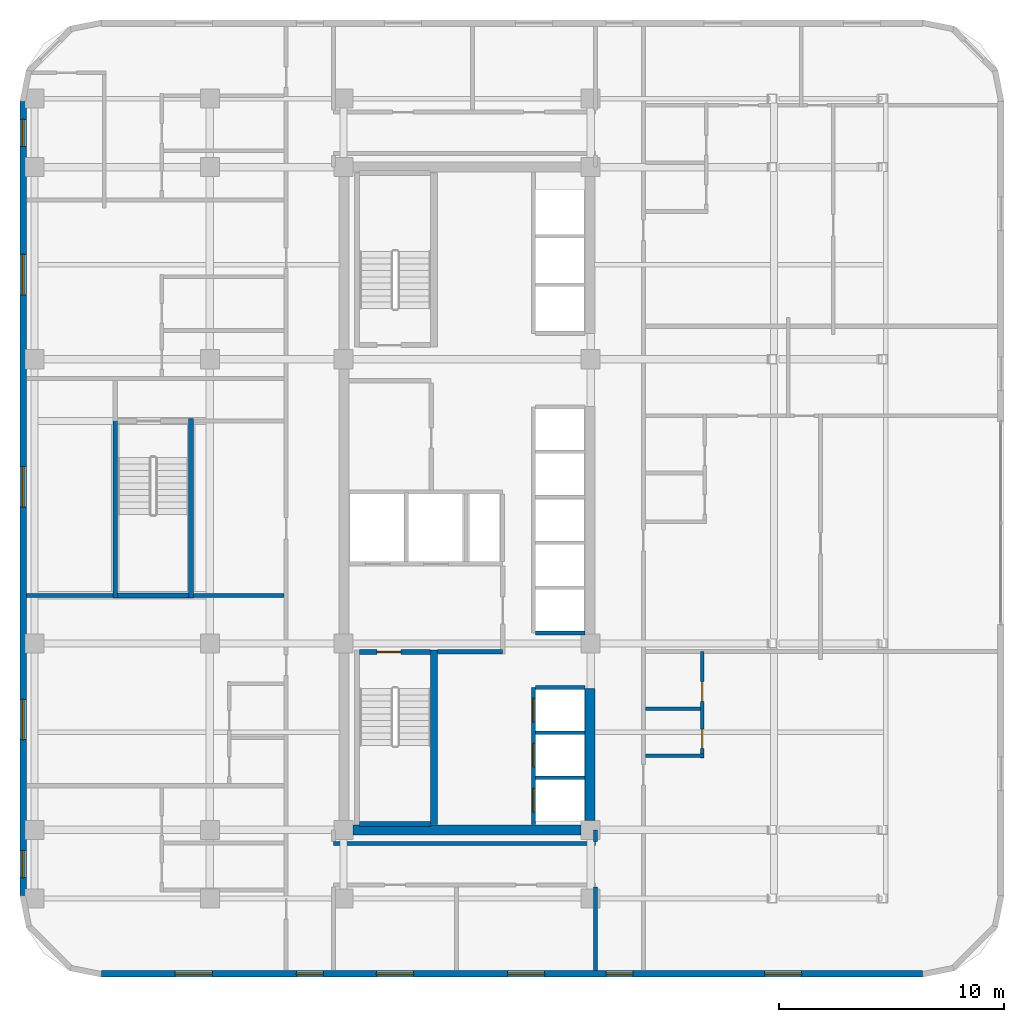
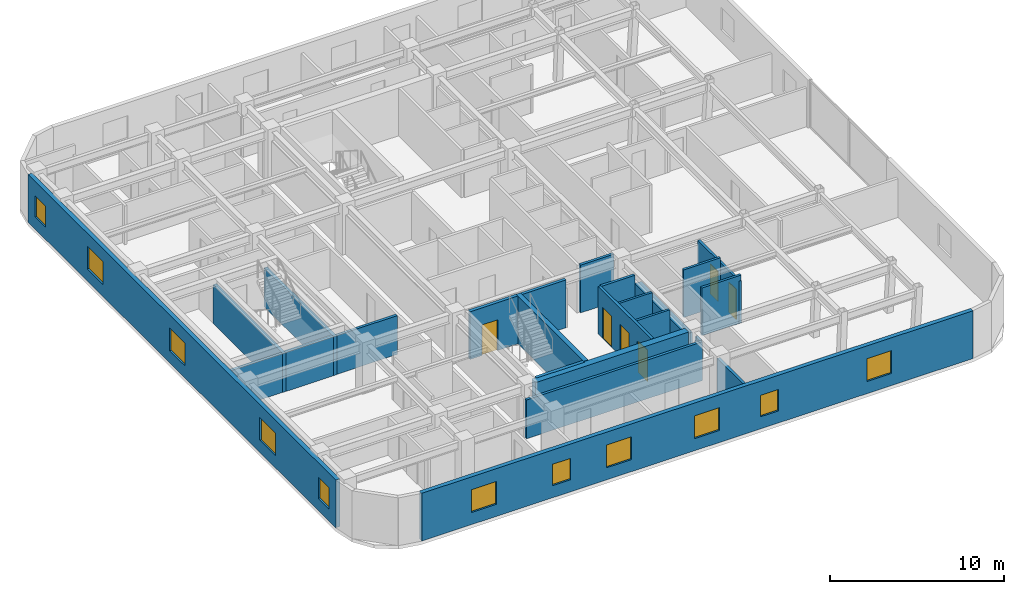
# One storey, part 4 of 9: 24 walls, 11 windows, 6 doors, 17 openings.
"""IFC4 building model written with IfcOpenShell, lengths in metres."""

from ifc_helpers import new_model, si_unit, direction, frame, frame_2d, origin, place, context, subcontext, project, spatial, rectangle, extrude, material, layer, layer_set, type_object, element, fill, save


model = new_model("IFC4")

# Units and contexts
model_context = context("Model", 3, precision=1e-05, world=origin(), true_north=direction((0.0, 1.0)))
body_context = subcontext(model_context, "Body", "Model", "MODEL_VIEW")
ifc_project = project(units=[si_unit("LENGTHUNIT", "METRE"), si_unit("AREAUNIT", "SQUARE_METRE"), si_unit("VOLUMEUNIT", "CUBIC_METRE"), si_unit("PLANEANGLEUNIT", "RADIAN"), si_unit("MASSUNIT", "GRAM", prefix="KILO")], contexts=[model_context])

# Site, building, storey
site_placement = place(None, origin())
site = spatial("IfcSite", under=ifc_project, at=site_placement, CompositionType="ELEMENT")
building_placement = place(site_placement, origin())
building = spatial("IfcBuilding", under=site, at=building_placement, Name="Ochreholt Gables", CompositionType="ELEMENT")
storey_placement = place(building_placement, frame((0.0, 0.0, 94.800048828125)))
storey = spatial("IfcBuildingStorey", under=building, at=storey_placement, Name="L24", CompositionType="ELEMENT", Elevation=94.800048828125)

# Walls
ifc_material_1 = material(Name="Concrete 60 MPa", Category="concrete")
ifc_layer_1 = layer(ifc_material_1, 0.449951171875, Name="Concrete 60 MPa")
ifc_layer_set_1 = layer_set([ifc_layer_1], Name="Concrete 60 MPa")
wall_type_1 = type_object("IfcWallType", Name="WALL-CSW-450", PredefinedType="SHEAR", material=ifc_layer_set_1)
wall_1_placement = place(storey_placement, frame((35.175048828125, 9.675048828125, 0.0), z_axis=(0.0, 0.0, 1.0), x_axis=(0.0, 1.0, 0.0)))
element("IfcWall", 1, at=wall_1_placement, inside=storey, type_object=wall_type_1, Name="L24 Core South-East Shear Wall", PredefinedType="SHEAR", context=body_context, shape_type="SweptSolid", body=[
    extrude(rectangle(XDim=5.875, YDim=0.449951171875, at=frame_2d((2.9375, 0.0))), origin(), (0.0, 0.0, 1.0), 2.739013671875),
])
wall_2_placement = place(storey_placement, frame((24.625, 9.25, 0.0), z_axis=(0.0, 0.0, 1.0), x_axis=(1.0, 0.0, 0.0)))
element("IfcWall", 2, at=wall_2_placement, inside=storey, type_object=wall_type_1, Name="L24 Core South Shear Wall", PredefinedType="SHEAR", context=body_context, shape_type="SweptSolid", body=[
    extrude(rectangle(XDim=10.14990234375, YDim=0.449951171875, at=frame_2d((5.074951171875, 0.0))), origin(), (0.0, 0.0, 1.0), 3.349853515625),
])

# Wall, openings, windows
ifc_material_2 = material(Name="Precast concrete 40 MPa", Category="concrete")
ifc_layer_2 = layer(ifc_material_2, 0.280029296875, Name="Precast concrete 40 MPa")
ifc_layer_set_2 = layer_set([ifc_layer_2], Name="Precast concrete 40 MPa")
wall_type_2 = type_object("IfcWallType", Name="WALL-EXT-280", PredefinedType="SOLIDWALL", material=ifc_layer_set_2)
wall_3_placement = place(storey_placement, frame((13.419921875, 2.840087890625, 0.0), z_axis=(0.0, 0.0, 1.0), x_axis=(1.0, 0.0, 0.0)))
wall_3 = element("IfcWall", 3, at=wall_3_placement, inside=storey, type_object=wall_type_2, Name="L24 South Exterior Wall", PredefinedType="SOLIDWALL", context=body_context, shape_type="SweptSolid", body=[
    extrude(rectangle(XDim=36.56005859375, YDim=0.280029296875, at=frame_2d((18.280029296875, 0.0))), origin(), (0.0, 0.0, 1.0), 3.349853515625),
])
opening_1_placement = place(wall_3_placement, frame((3.2900390625, 0.0, 0.85009765625)))
opening_1 = element("IfcOpeningElement", 4, at=opening_1_placement, cuts=wall_3, Name="Opening WN-7", PredefinedType="OPENING", context=body_context, shape_type="SweptSolid", body=[
    extrude(rectangle(XDim=1.64990234375, YDim=1.60009765625, at=frame_2d((0.824951171875, 0.800048828125))), frame((0.0, 0.14990234375, 0.0), z_axis=(0.0, -1.0, 0.0), x_axis=(1.0, 0.0, 0.0)), (0.0, 0.0, 1.0), 0.300048828125),
])
opening_2_placement = place(wall_3_placement, frame((8.679931640625, 0.0, 0.85009765625)))
opening_2 = element("IfcOpeningElement", 5, at=opening_2_placement, cuts=wall_3, Name="Opening WN-3", PredefinedType="OPENING", context=body_context, shape_type="SweptSolid", body=[
    extrude(rectangle(XDim=1.199951171875, YDim=1.5, at=frame_2d((0.60009765625, 0.75))), frame((0.0, 0.14990234375, 0.0), z_axis=(0.0, -1.0, 0.0), x_axis=(1.0, 0.0, 0.0)), (0.0, 0.0, 1.0), 0.300048828125),
])
opening_3_placement = place(wall_3_placement, frame((12.24755859375, 0.0, 0.85009765625)))
opening_3 = element("IfcOpeningElement", 6, at=opening_3_placement, cuts=wall_3, Name="Opening WN-7", PredefinedType="OPENING", context=body_context, shape_type="SweptSolid", body=[
    extrude(rectangle(XDim=1.64990234375, YDim=1.60009765625, at=frame_2d((0.824951171875, 0.800048828125))), frame((0.0, 0.14990234375, 0.0), z_axis=(0.0, -1.0, 0.0), x_axis=(1.0, 0.0, 0.0)), (0.0, 0.0, 1.0), 0.300048828125),
])
opening_4_placement = place(wall_3_placement, frame((18.08251953125, 0.0, 0.85009765625)))
opening_4 = element("IfcOpeningElement", 7, at=opening_4_placement, cuts=wall_3, Name="Opening WN-7", PredefinedType="OPENING", context=body_context, shape_type="SweptSolid", body=[
    extrude(rectangle(XDim=1.64990234375, YDim=1.60009765625, at=frame_2d((0.824951171875, 0.800048828125))), frame((0.0, 0.14990234375, 0.0), z_axis=(0.0, -1.0, 0.0), x_axis=(1.0, 0.0, 0.0)), (0.0, 0.0, 1.0), 0.300048828125),
])
opening_5_placement = place(wall_3_placement, frame((22.465087890625, 0.0, 0.85009765625)))
opening_5 = element("IfcOpeningElement", 8, at=opening_5_placement, cuts=wall_3, Name="Opening WN-3", PredefinedType="OPENING", context=body_context, shape_type="SweptSolid", body=[
    extrude(rectangle(XDim=1.199951171875, YDim=1.5, at=frame_2d((0.60009765625, 0.75))), frame((0.0, 0.14990234375, 0.0), z_axis=(0.0, -1.0, 0.0), x_axis=(1.0, 0.0, 0.0)), (0.0, 0.0, 1.0), 0.300048828125),
])
opening_6_placement = place(wall_3_placement, frame((29.52001953125, 0.0, 0.85009765625)))
opening_6 = element("IfcOpeningElement", 9, at=opening_6_placement, cuts=wall_3, Name="Opening WN-7", PredefinedType="OPENING", context=body_context, shape_type="SweptSolid", body=[
    extrude(rectangle(XDim=1.64990234375, YDim=1.60009765625, at=frame_2d((0.824951171875, 0.800048828125))), frame((0.0, 0.14990234375, 0.0), z_axis=(0.0, -1.0, 0.0), x_axis=(1.0, 0.0, 0.0)), (0.0, 0.0, 1.0), 0.300048828125),
])
ifc_material_3 = material(Name="Triple-Glazed Thermally Broken Aluminium Window", Category="aluminium")
window_type_1 = type_object("IfcWindowType", Name="WIN-RES-1200", PartitioningType="SINGLE_PANEL", PredefinedType="WINDOW", material=ifc_material_3)
window_1_placement = place(opening_2_placement, origin())
window_1 = element("IfcWindow", 10, at=window_1_placement, inside=storey, type_object=window_type_1, Name="L24 Window W-EXT-S-L24-2", OverallHeight=1.5, OverallWidth=1.199951171875, PartitioningType="SINGLE_PANEL", PredefinedType="WINDOW", context=body_context, shape_type="SweptSolid", body=[
    extrude(rectangle(XDim=1.199951171875, YDim=1.5, at=frame_2d((0.60009765625, 0.75))), frame((0.0, 0.030029296875, 0.0), z_axis=(0.0, -1.0, 0.0), x_axis=(1.0, 0.0, 0.0)), (0.0, 0.0, 1.0), 0.06005859375),
])
fill(opening_2, window_1)
window_2_placement = place(opening_5_placement, origin())
window_2 = element("IfcWindow", 11, at=window_2_placement, inside=storey, type_object=window_type_1, Name="L24 Window W-EXT-S-L24-5", OverallHeight=1.5, OverallWidth=1.199951171875, PartitioningType="SINGLE_PANEL", PredefinedType="WINDOW", context=body_context, shape_type="SweptSolid", body=[
    extrude(rectangle(XDim=1.199951171875, YDim=1.5, at=frame_2d((0.60009765625, 0.75))), frame((0.0, 0.030029296875, 0.0), z_axis=(0.0, -1.0, 0.0), x_axis=(1.0, 0.0, 0.0)), (0.0, 0.0, 1.0), 0.06005859375),
])
fill(opening_5, window_2)
window_type_2 = type_object("IfcWindowType", Name="WIN-RES-1650", PartitioningType="SINGLE_PANEL", PredefinedType="WINDOW", material=ifc_material_3)
window_3_placement = place(opening_1_placement, origin())
window_3 = element("IfcWindow", 12, at=window_3_placement, inside=storey, type_object=window_type_2, Name="L24 Window W-EXT-S-L24-1", OverallHeight=1.60009765625, OverallWidth=1.64990234375, PartitioningType="SINGLE_PANEL", PredefinedType="WINDOW", context=body_context, shape_type="SweptSolid", body=[
    extrude(rectangle(XDim=1.64990234375, YDim=1.60009765625, at=frame_2d((0.824951171875, 0.800048828125))), frame((0.0, 0.030029296875, 0.0), z_axis=(0.0, -1.0, 0.0), x_axis=(1.0, 0.0, 0.0)), (0.0, 0.0, 1.0), 0.06005859375),
])
fill(opening_1, window_3)
window_4_placement = place(opening_3_placement, origin())
window_4 = element("IfcWindow", 13, at=window_4_placement, inside=storey, type_object=window_type_2, Name="L24 Window W-EXT-S-L24-3", OverallHeight=1.60009765625, OverallWidth=1.64990234375, PartitioningType="SINGLE_PANEL", PredefinedType="WINDOW", context=body_context, shape_type="SweptSolid", body=[
    extrude(rectangle(XDim=1.64990234375, YDim=1.60009765625, at=frame_2d((0.824951171875, 0.800048828125))), frame((0.0, 0.030029296875, 0.0), z_axis=(0.0, -1.0, 0.0), x_axis=(1.0, 0.0, 0.0)), (0.0, 0.0, 1.0), 0.06005859375),
])
fill(opening_3, window_4)
window_5_placement = place(opening_4_placement, origin())
window_5 = element("IfcWindow", 14, at=window_5_placement, inside=storey, type_object=window_type_2, Name="L24 Window W-EXT-S-L24-4", OverallHeight=1.60009765625, OverallWidth=1.64990234375, PartitioningType="SINGLE_PANEL", PredefinedType="WINDOW", context=body_context, shape_type="SweptSolid", body=[
    extrude(rectangle(XDim=1.64990234375, YDim=1.60009765625, at=frame_2d((0.824951171875, 0.800048828125))), frame((0.0, 0.030029296875, 0.0), z_axis=(0.0, -1.0, 0.0), x_axis=(1.0, 0.0, 0.0)), (0.0, 0.0, 1.0), 0.06005859375),
])
fill(opening_4, window_5)
window_6_placement = place(opening_6_placement, origin())
window_6 = element("IfcWindow", 15, at=window_6_placement, inside=storey, type_object=window_type_2, Name="L24 Window W-EXT-S-L24-6", OverallHeight=1.60009765625, OverallWidth=1.64990234375, PartitioningType="SINGLE_PANEL", PredefinedType="WINDOW", context=body_context, shape_type="SweptSolid", body=[
    extrude(rectangle(XDim=1.64990234375, YDim=1.60009765625, at=frame_2d((0.824951171875, 0.800048828125))), frame((0.0, 0.030029296875, 0.0), z_axis=(0.0, -1.0, 0.0), x_axis=(1.0, 0.0, 0.0)), (0.0, 0.0, 1.0), 0.06005859375),
])
fill(opening_6, window_6)

wall_4_placement = place(storey_placement, frame((9.93994140625, 41.679931640625, 0.0), z_axis=(0.0, 0.0, 1.0), x_axis=(0.0, -1.0, 0.0)))
wall_4 = element("IfcWall", 16, at=wall_4_placement, inside=storey, type_object=wall_type_2, Name="L24 West Exterior Wall", PredefinedType="SOLIDWALL", context=body_context, shape_type="SweptSolid", body=[
    extrude(rectangle(XDim=35.35986328125, YDim=0.280029296875, at=frame_2d((17.679931640625, 0.0))), origin(), (0.0, 0.0, 1.0), 3.349853515625),
])
opening_7_placement = place(wall_4_placement, frame((33.35498046875, 0.0, 0.85009765625)))
opening_7 = element("IfcOpeningElement", 17, at=opening_7_placement, cuts=wall_4, Name="Opening WN-3", PredefinedType="OPENING", context=body_context, shape_type="SweptSolid", body=[
    extrude(rectangle(XDim=1.199951171875, YDim=1.5, at=frame_2d((0.60009765625, 0.75))), frame((0.0, 0.14990234375, 0.0), z_axis=(0.0, -1.0, 0.0), x_axis=(1.0, 0.0, 0.0)), (0.0, 0.0, 1.0), 0.300048828125),
])
opening_8_placement = place(wall_4_placement, frame((26.617431640625, 0.0, 0.85009765625)))
opening_8 = element("IfcOpeningElement", 18, at=opening_8_placement, cuts=wall_4, Name="Opening WN-1", PredefinedType="OPENING", context=body_context, shape_type="SweptSolid", body=[
    extrude(rectangle(XDim=1.800048828125, YDim=1.60009765625, at=frame_2d((0.89990234375, 0.800048828125))), frame((0.0, 0.14990234375, 0.0), z_axis=(0.0, -1.0, 0.0), x_axis=(1.0, 0.0, 0.0)), (0.0, 0.0, 1.0), 0.300048828125),
])
opening_9_placement = place(wall_4_placement, frame((16.264892578125, 0.0, 0.85009765625)))
opening_9 = element("IfcOpeningElement", 19, at=opening_9_placement, cuts=wall_4, Name="Opening WN-1", PredefinedType="OPENING", context=body_context, shape_type="SweptSolid", body=[
    extrude(rectangle(XDim=1.800048828125, YDim=1.60009765625, at=frame_2d((0.89990234375, 0.800048828125))), frame((0.0, 0.14990234375, 0.0), z_axis=(0.0, -1.0, 0.0), x_axis=(1.0, 0.0, 0.0)), (0.0, 0.0, 1.0), 0.300048828125),
])
opening_10_placement = place(wall_4_placement, frame((6.81494140625, 0.0, 0.85009765625)))
opening_10 = element("IfcOpeningElement", 20, at=opening_10_placement, cuts=wall_4, Name="Opening WN-1", PredefinedType="OPENING", context=body_context, shape_type="SweptSolid", body=[
    extrude(rectangle(XDim=1.800048828125, YDim=1.60009765625, at=frame_2d((0.89990234375, 0.800048828125))), frame((0.0, 0.14990234375, 0.0), z_axis=(0.0, -1.0, 0.0), x_axis=(1.0, 0.0, 0.0)), (0.0, 0.0, 1.0), 0.300048828125),
])
opening_11_placement = place(wall_4_placement, frame((0.804931640625, 0.0, 0.85009765625)))
opening_11 = element("IfcOpeningElement", 21, at=opening_11_placement, cuts=wall_4, Name="Opening WN-3", PredefinedType="OPENING", context=body_context, shape_type="SweptSolid", body=[
    extrude(rectangle(XDim=1.199951171875, YDim=1.5, at=frame_2d((0.60009765625, 0.75))), frame((0.0, 0.14990234375, 0.0), z_axis=(0.0, -1.0, 0.0), x_axis=(1.0, 0.0, 0.0)), (0.0, 0.0, 1.0), 0.300048828125),
])
window_7_placement = place(opening_7_placement, origin())
window_7 = element("IfcWindow", 22, at=window_7_placement, inside=storey, type_object=window_type_1, Name="L24 Window W-EXT-W-L24-1", OverallHeight=1.5, OverallWidth=1.199951171875, PartitioningType="SINGLE_PANEL", PredefinedType="WINDOW", context=body_context, shape_type="SweptSolid", body=[
    extrude(rectangle(XDim=1.199951171875, YDim=1.5, at=frame_2d((0.60009765625, 0.75))), frame((0.0, 0.030029296875, 0.0), z_axis=(0.0, -1.0, 0.0), x_axis=(1.0, 0.0, 0.0)), (0.0, 0.0, 1.0), 0.06005859375),
])
fill(opening_7, window_7)
window_8_placement = place(opening_11_placement, origin())
window_8 = element("IfcWindow", 23, at=window_8_placement, inside=storey, type_object=window_type_1, Name="L24 Window W-EXT-W-L24-5", OverallHeight=1.5, OverallWidth=1.199951171875, PartitioningType="SINGLE_PANEL", PredefinedType="WINDOW", context=body_context, shape_type="SweptSolid", body=[
    extrude(rectangle(XDim=1.199951171875, YDim=1.5, at=frame_2d((0.60009765625, 0.75))), frame((0.0, 0.030029296875, 0.0), z_axis=(0.0, -1.0, 0.0), x_axis=(1.0, 0.0, 0.0)), (0.0, 0.0, 1.0), 0.06005859375),
])
fill(opening_11, window_8)
window_type_3 = type_object("IfcWindowType", Name="WIN-RES-1800", PartitioningType="SINGLE_PANEL", PredefinedType="WINDOW", material=ifc_material_3)
window_9_placement = place(opening_8_placement, origin())
window_9 = element("IfcWindow", 24, at=window_9_placement, inside=storey, type_object=window_type_3, Name="L24 Window W-EXT-W-L24-2", OverallHeight=1.60009765625, OverallWidth=1.800048828125, PartitioningType="SINGLE_PANEL", PredefinedType="WINDOW", context=body_context, shape_type="SweptSolid", body=[
    extrude(rectangle(XDim=1.800048828125, YDim=1.60009765625, at=frame_2d((0.89990234375, 0.800048828125))), frame((0.0, 0.030029296875, 0.0), z_axis=(0.0, -1.0, 0.0), x_axis=(1.0, 0.0, 0.0)), (0.0, 0.0, 1.0), 0.06005859375),
])
fill(opening_8, window_9)
window_10_placement = place(opening_9_placement, origin())
window_10 = element("IfcWindow", 25, at=window_10_placement, inside=storey, type_object=window_type_3, Name="L24 Window W-EXT-W-L24-3", OverallHeight=1.60009765625, OverallWidth=1.800048828125, PartitioningType="SINGLE_PANEL", PredefinedType="WINDOW", context=body_context, shape_type="SweptSolid", body=[
    extrude(rectangle(XDim=1.800048828125, YDim=1.60009765625, at=frame_2d((0.89990234375, 0.800048828125))), frame((0.0, 0.030029296875, 0.0), z_axis=(0.0, -1.0, 0.0), x_axis=(1.0, 0.0, 0.0)), (0.0, 0.0, 1.0), 0.06005859375),
])
fill(opening_9, window_10)
window_11_placement = place(opening_10_placement, origin())
window_11 = element("IfcWindow", 26, at=window_11_placement, inside=storey, type_object=window_type_3, Name="L24 Window W-EXT-W-L24-4", OverallHeight=1.60009765625, OverallWidth=1.800048828125, PartitioningType="SINGLE_PANEL", PredefinedType="WINDOW", context=body_context, shape_type="SweptSolid", body=[
    extrude(rectangle(XDim=1.800048828125, YDim=1.60009765625, at=frame_2d((0.89990234375, 0.800048828125))), frame((0.0, 0.030029296875, 0.0), z_axis=(0.0, -1.0, 0.0), x_axis=(1.0, 0.0, 0.0)), (0.0, 0.0, 1.0), 0.06005859375),
])
fill(opening_10, window_11)

# Walls
ifc_material_4 = material(Name="Concrete 40 MPa", Category="concrete")
ifc_layer_3 = layer(ifc_material_4, 0.199951171875, Name="Concrete 40 MPa")
ifc_layer_set_3 = layer_set([ifc_layer_3], Name="Concrete 40 MPa")
wall_type_3 = type_object("IfcWallType", Name="WALL-INT-CF200", PredefinedType="STANDARD", material=ifc_layer_set_3)
wall_5_placement = place(storey_placement, frame((28.3798828125, 17.169921875, 0.0), z_axis=(0.0, 0.0, 1.0), x_axis=(1.0, 0.0, 0.0)))
element("IfcWall", 27, at=wall_5_placement, inside=storey, type_object=wall_type_3, Name="L24 Interior Wall WI-FFS-L24", PredefinedType="STANDARD", context=body_context, shape_type="SweptSolid", body=[
    extrude(rectangle(XDim=2.900146484375, YDim=0.199951171875, at=frame_2d((1.4501953125, 0.0))), origin(), (0.0, 0.0, 1.0), 3.349853515625),
])
ifc_material_5 = material(Name="Fire-Rated Gypsum Acoustic Partition", Category="gypsum")
ifc_layer_4 = layer(ifc_material_5, 0.179931640625, Name="Fire-Rated Gypsum Acoustic Partition")
ifc_layer_set_4 = layer_set([ifc_layer_4], Name="Fire-Rated Gypsum Acoustic Partition")
wall_type_4 = type_object("IfcWallType", Name="WALL-INT-CR180", PredefinedType="STANDARD", material=ifc_layer_set_4)
wall_6_placement = place(storey_placement, frame((23.75, 8.64990234375, 0.0), z_axis=(0.0, 0.0, 1.0), x_axis=(1.0, 0.0, 0.0)))
element("IfcWall", 28, at=wall_6_placement, inside=storey, type_object=wall_type_4, Name="L24 Interior Wall WI-C1S2-L24", PredefinedType="STANDARD", context=body_context, shape_type="SweptSolid", body=[
    extrude(rectangle(XDim=11.669921875, YDim=0.179931640625, at=frame_2d((5.8349609375, 0.0))), origin(), (0.0, 0.0, 1.0), 2.720947265625),
])
wall_7_placement = place(storey_placement, frame((35.419921875, 8.739990234375, 0.0), z_axis=(0.0, 0.0, 1.0), x_axis=(0.0, 1.0, 0.0)))
element("IfcWall", 29, at=wall_7_placement, inside=storey, type_object=wall_type_4, Name="L24 Interior Wall WI-C1ESW2-L24", PredefinedType="STANDARD", context=body_context, shape_type="SweptSolid", body=[
    extrude(rectangle(XDim=0.510009765625, YDim=0.179931640625, at=frame_2d((0.2548828125, 0.0))), origin(), (0.0, 0.0, 1.0), 2.720947265625),
])
ifc_material_6 = material(Name="Double-Stud Acoustic Demising Wall", Category="gypsum")
ifc_layer_5 = layer(ifc_material_6, 0.179931640625, Name="Double-Stud Acoustic Demising Wall")
ifc_layer_set_5 = layer_set([ifc_layer_5], Name="Double-Stud Acoustic Demising Wall")
wall_type_5 = type_object("IfcWallType", Name="WALL-INT-DM180", PredefinedType="PARTITIONING", material=ifc_layer_set_5)
wall_8_placement = place(storey_placement, frame((35.419921875, 2.97998046875, 0.0), z_axis=(0.0, 0.0, 1.0), x_axis=(0.0, 1.0, 0.0)))
element("IfcWall", 30, at=wall_8_placement, inside=storey, type_object=wall_type_5, Name="L24 Interior Wall WI-C1ESW-L24", PredefinedType="PARTITIONING", context=body_context, shape_type="SweptSolid", body=[
    extrude(rectangle(XDim=3.72998046875, YDim=0.179931640625, at=frame_2d((1.864990234375, 0.0))), origin(), (0.0, 0.0, 1.0), 2.720947265625),
])
wall_9_placement = place(storey_placement, frame((10.080078125, 19.68994140625, 0.0), z_axis=(0.0, 0.0, 1.0), x_axis=(1.0, 0.0, 0.0)))
element("IfcWall", 31, at=wall_9_placement, inside=storey, type_object=wall_type_5, Name="L24 Interior Wall WI-UDWS2A-L24", PredefinedType="PARTITIONING", context=body_context, shape_type="SweptSolid", body=[
    extrude(rectangle(XDim=3.849853515625, YDim=0.179931640625, at=frame_2d((1.9248046875, 0.0))), origin(), (0.0, 0.0, 1.0), 2.720947265625),
])
wall_10_placement = place(storey_placement, frame((17.530029296875, 19.68994140625, 0.0), z_axis=(0.0, 0.0, 1.0), x_axis=(1.0, 0.0, 0.0)))
element("IfcWall", 32, at=wall_10_placement, inside=storey, type_object=wall_type_5, Name="L24 Interior Wall WI-UDWS2B-L24", PredefinedType="PARTITIONING", context=body_context, shape_type="SweptSolid", body=[
    extrude(rectangle(XDim=4.030029296875, YDim=0.179931640625, at=frame_2d((2.01513671875, 0.0))), origin(), (0.0, 0.0, 1.0), 2.720947265625),
])
ifc_material_7 = material(Name="Moisture-Resistant Plumbing Chase Wall", Category="gypsum")
ifc_layer_6 = layer(ifc_material_7, 0.159912109375, Name="Moisture-Resistant Plumbing Chase Wall")
ifc_layer_set_6 = layer_set([ifc_layer_6], Name="Moisture-Resistant Plumbing Chase Wall")
wall_type_6 = type_object("IfcWallType", Name="WALL-INT-PL160", PredefinedType="PLUMBINGWALL", material=ifc_layer_set_6)
wall_11_placement = place(storey_placement, frame((37.639892578125, 12.5439453125, 0.0), z_axis=(0.0, 0.0, 1.0), x_axis=(1.0, 0.0, 0.0)))
element("IfcWall", 33, at=wall_11_placement, inside=storey, type_object=wall_type_6, Name="L24 Interior Wall WU-L24E1-WYS", PredefinedType="PLUMBINGWALL", context=body_context, shape_type="SweptSolid", body=[
    extrude(rectangle(XDim=2.606201171875, YDim=0.159912109375, at=frame_2d((1.30322265625, 0.0))), origin(), (0.0, 0.0, 1.0), 3.349853515625),
])

# Wall, openings, doors
wall_12_placement = place(storey_placement, frame((40.166015625, 12.4541015625, 0.0), z_axis=(0.0, 0.0, 1.0), x_axis=(0.0, 1.0, 0.0)))
wall_12 = element("IfcWall", 34, at=wall_12_placement, inside=storey, type_object=wall_type_6, Name="L24 Interior Wall WU-L24E1-WX", PredefinedType="PLUMBINGWALL", context=body_context, shape_type="SweptSolid", body=[
    extrude(rectangle(XDim=4.72998046875, YDim=0.159912109375, at=frame_2d((2.364990234375, 0.0))), origin(), (0.0, 0.0, 1.0), 2.97802734375),
])
opening_12_placement = place(wall_12_placement, frame((0.419921875, 0.0, 0.0)))
opening_12 = element("IfcOpeningElement", 35, at=opening_12_placement, cuts=wall_12, Name="Opening D-BT1", PredefinedType="OPENING", context=body_context, shape_type="SweptSolid", body=[
    extrude(rectangle(XDim=0.860107421875, YDim=2.1201171875, at=frame_2d((0.43017578125, 1.06005859375))), frame((0.0, 0.08984375, 0.0), z_axis=(0.0, -1.0, 0.0), x_axis=(1.0, 0.0, 0.0)), (0.0, 0.0, 1.0), 0.179931640625),
])
opening_13_placement = place(wall_12_placement, frame((2.512939453125, 0.0, 0.0)))
opening_13 = element("IfcOpeningElement", 36, at=opening_13_placement, cuts=wall_12, Name="Opening D-GN2", PredefinedType="OPENING", context=body_context, shape_type="SweptSolid", body=[
    extrude(rectangle(XDim=0.8798828125, YDim=2.1201171875, at=frame_2d((0.43994140625, 1.06005859375))), frame((0.0, 0.08984375, 0.0), z_axis=(0.0, -1.0, 0.0), x_axis=(1.0, 0.0, 0.0)), (0.0, 0.0, 1.0), 0.179931640625),
])
ifc_material_8 = material(Name="Engineered Oak Timber", Category="wood")
door_type_1 = type_object("IfcDoorType", Name="DR-INT-BTH860", OperationType="NOTDEFINED", PredefinedType="DOOR", material=ifc_material_8)
door_1_placement = place(opening_12_placement, origin())
door_1 = element("IfcDoor", 37, at=door_1_placement, inside=storey, type_object=door_type_1, Name="L24 Door D-U-L24E1-BTH", OperationType="SINGLE_SWING_LEFT", OverallHeight=2.1201171875, OverallWidth=0.860107421875, PredefinedType="DOOR", context=body_context, shape_type="SweptSolid", body=[
    extrude(rectangle(XDim=0.860107421875, YDim=2.1201171875, at=frame_2d((0.43017578125, 1.06005859375))), frame((0.0, 0.02490234375, 0.0), z_axis=(0.0, -1.0, 0.0), x_axis=(1.0, 0.0, 0.0)), (0.0, 0.0, 1.0), 0.050048828125),
])
fill(opening_12, door_1)
door_type_2 = type_object("IfcDoorType", Name="DR-INT-GEN880", OperationType="NOTDEFINED", PredefinedType="DOOR", material=ifc_material_8)
door_2_placement = place(opening_13_placement, origin())
door_2 = element("IfcDoor", 38, at=door_2_placement, inside=storey, type_object=door_type_2, Name="L24 Door D-U-L24E1-KIT", OperationType="SINGLE_SWING_RIGHT", OverallHeight=2.1201171875, OverallWidth=0.8798828125, PredefinedType="DOOR", context=body_context, shape_type="SweptSolid", body=[
    extrude(rectangle(XDim=0.8798828125, YDim=2.1201171875, at=frame_2d((0.43994140625, 1.06005859375))), frame((0.0, 0.02490234375, 0.0), z_axis=(0.0, -1.0, 0.0), x_axis=(1.0, 0.0, 0.0)), (0.0, 0.0, 1.0), 0.050048828125),
])
fill(opening_13, door_2)

# Walls
wall_13_placement = place(storey_placement, frame((37.639892578125, 14.636962890625, 0.0), z_axis=(0.0, 0.0, 1.0), x_axis=(1.0, 0.0, 0.0)))
element("IfcWall", 39, at=wall_13_placement, inside=storey, type_object=wall_type_6, Name="L24 Interior Wall WU-L24E1-WM", PredefinedType="PLUMBINGWALL", context=body_context, shape_type="SweptSolid", body=[
    extrude(rectangle(XDim=2.446044921875, YDim=0.159912109375, at=frame_2d((1.22314453125, 0.0))), origin(), (0.0, 0.0, 1.0), 3.349853515625),
])
ifc_material_9 = material(Name="Gypsum Shaftliner and Steel Stud", Category="steel")
ifc_layer_7 = layer(ifc_material_9, 0.14990234375, Name="Gypsum Shaftliner and Steel Stud")
ifc_layer_set_7 = layer_set([ifc_layer_7], Name="Gypsum Shaftliner and Steel Stud")
wall_type_7 = type_object("IfcWallType", Name="WALL-INT-SH150", PredefinedType="STANDARD", material=ifc_layer_set_7)
for number, where, z_axis, x_axis, name in (
    (40, (32.739990234375, 11.570068359375, 0.0), (0.0, 0.0, 1.0), (1.0, 0.0, 0.0), "L24 Interior Wall WI-LFL-D1-L24"),
    (41, (32.739990234375, 13.570068359375, 0.0), (0.0, 0.0, 1.0), (1.0, 0.0, 0.0), "L24 Interior Wall WI-LFL-D2-L24"),
):
    element("IfcWall", number, at=place(storey_placement, frame(where, z_axis=z_axis, x_axis=x_axis)), inside=storey, type_object=wall_type_7, Name=name, PredefinedType="STANDARD", context=body_context, shape_type="SweptSolid", body=[
        extrude(rectangle(XDim=2.2099609375, YDim=0.14990234375, at=frame_2d((1.10498046875, 0.0))), origin(), (0.0, 0.0, 1.0), 3.349853515625),
    ])

# Wall, openings, doors
ifc_layer_8 = layer(ifc_material_9, 0.179931640625, Name="Gypsum Shaftliner and Steel Stud")
ifc_layer_set_8 = layer_set([ifc_layer_8], Name="Gypsum Shaftliner and Steel Stud")
wall_type_8 = type_object("IfcWallType", Name="WALL-INT-SH180", PredefinedType="STANDARD", material=ifc_layer_set_8)
wall_14_placement = place(storey_placement, frame((32.64990234375, 9.5, 0.0), z_axis=(0.0, 0.0, 1.0), x_axis=(0.0, 1.0, 0.0)))
wall_14 = element("IfcWall", 42, at=wall_14_placement, inside=storey, type_object=wall_type_8, Name="L24 Interior Wall WI-LFL-FR-L24", PredefinedType="STANDARD", context=body_context, shape_type="SweptSolid", body=[
    extrude(rectangle(XDim=6.080078125, YDim=0.179931640625, at=frame_2d((3.0400390625, 0.0))), origin(), (0.0, 0.0, 1.0), 3.349853515625),
])
opening_14_placement = place(wall_14_placement, frame((0.550048828125, 0.0, 0.0)))
opening_14 = element("IfcOpeningElement", 43, at=opening_14_placement, cuts=wall_14, Name="Opening LD-PX", PredefinedType="OPENING", context=body_context, shape_type="SweptSolid", body=[
    extrude(rectangle(XDim=1.050048828125, YDim=2.199951171875, at=frame_2d((0.52490234375, 1.10009765625))), frame((0.0, 0.099853515625, 0.0), z_axis=(0.0, -1.0, 0.0), x_axis=(1.0, 0.0, 0.0)), (0.0, 0.0, 1.0), 0.199951171875),
])
opening_15_placement = place(wall_14_placement, frame((2.550048828125, 0.0, 0.0)))
opening_15 = element("IfcOpeningElement", 44, at=opening_15_placement, cuts=wall_14, Name="Opening LD-PX", PredefinedType="OPENING", context=body_context, shape_type="SweptSolid", body=[
    extrude(rectangle(XDim=1.050048828125, YDim=2.199951171875, at=frame_2d((0.52490234375, 1.10009765625))), frame((0.0, 0.099853515625, 0.0), z_axis=(0.0, -1.0, 0.0), x_axis=(1.0, 0.0, 0.0)), (0.0, 0.0, 1.0), 0.199951171875),
])
opening_16_placement = place(wall_14_placement, frame((4.550048828125, 0.0, 0.0)))
opening_16 = element("IfcOpeningElement", 45, at=opening_16_placement, cuts=wall_14, Name="Opening LD-PX", PredefinedType="OPENING", context=body_context, shape_type="SweptSolid", body=[
    extrude(rectangle(XDim=1.050048828125, YDim=2.199951171875, at=frame_2d((0.52490234375, 1.10009765625))), frame((0.0, 0.099853515625, 0.0), z_axis=(0.0, -1.0, 0.0), x_axis=(1.0, 0.0, 0.0)), (0.0, 0.0, 1.0), 0.199951171875),
])
ifc_material_10 = material(Name="Stainless Steel", Category="steel")
door_type_3 = type_object("IfcDoorType", Name="DR-LFT-PX1050", OperationType="NOTDEFINED", PredefinedType="DOOR", material=ifc_material_10)
door_3_placement = place(opening_14_placement, origin())
door_3 = element("IfcDoor", 46, at=door_3_placement, inside=storey, type_object=door_type_3, Name="L24 Door LD-L1-L24", OperationType="SLIDING_TO_LEFT", OverallHeight=2.199951171875, OverallWidth=1.050048828125, PredefinedType="DOOR", context=body_context, shape_type="SweptSolid", body=[
    extrude(rectangle(XDim=1.050048828125, YDim=2.199951171875, at=frame_2d((0.52490234375, 1.10009765625))), frame((0.0, 0.02490234375, 0.0), z_axis=(0.0, -1.0, 0.0), x_axis=(1.0, 0.0, 0.0)), (0.0, 0.0, 1.0), 0.050048828125),
])
fill(opening_14, door_3)
door_4_placement = place(opening_15_placement, origin())
door_4 = element("IfcDoor", 47, at=door_4_placement, inside=storey, type_object=door_type_3, Name="L24 Door LD-L2-L24", OperationType="SLIDING_TO_LEFT", OverallHeight=2.199951171875, OverallWidth=1.050048828125, PredefinedType="DOOR", context=body_context, shape_type="SweptSolid", body=[
    extrude(rectangle(XDim=1.050048828125, YDim=2.199951171875, at=frame_2d((0.52490234375, 1.10009765625))), frame((0.0, 0.02490234375, 0.0), z_axis=(0.0, -1.0, 0.0), x_axis=(1.0, 0.0, 0.0)), (0.0, 0.0, 1.0), 0.050048828125),
])
fill(opening_15, door_4)
door_5_placement = place(opening_16_placement, origin())
door_5 = element("IfcDoor", 48, at=door_5_placement, inside=storey, type_object=door_type_3, Name="L24 Door LD-L3-L24", OperationType="SLIDING_TO_LEFT", OverallHeight=2.199951171875, OverallWidth=1.050048828125, PredefinedType="DOOR", context=body_context, shape_type="SweptSolid", body=[
    extrude(rectangle(XDim=1.050048828125, YDim=2.199951171875, at=frame_2d((0.52490234375, 1.10009765625))), frame((0.0, 0.02490234375, 0.0), z_axis=(0.0, -1.0, 0.0), x_axis=(1.0, 0.0, 0.0)), (0.0, 0.0, 1.0), 0.050048828125),
])
fill(opening_16, door_5)

# Walls
for number, where, z_axis, x_axis, name in (
    (49, (32.739990234375, 15.580078125, 0.0), (0.0, 0.0, 1.0), (1.0, 0.0, 0.0), "L24 Interior Wall WI-LFL-N-L24"),
    (50, (32.739990234375, 18.02001953125, 0.0), (0.0, 0.0, 1.0), (1.0, 0.0, 0.0), "L24 Interior Wall WI-LFHE-S-L24"),
):
    element("IfcWall", number, at=place(storey_placement, frame(where, z_axis=z_axis, x_axis=x_axis)), inside=storey, type_object=wall_type_8, Name=name, PredefinedType="STANDARD", context=body_context, shape_type="SweptSolid", body=[
        extrude(rectangle(XDim=2.2099609375, YDim=0.179931640625, at=frame_2d((1.10498046875, 0.0))), origin(), (0.0, 0.0, 1.0), 3.349853515625),
    ])
ifc_layer_9 = layer(ifc_material_1, 0.300048828125, Name="Concrete 60 MPa")
ifc_layer_set_9 = layer_set([ifc_layer_9], Name="Concrete 60 MPa")
wall_type_9 = type_object("IfcWallType", Name="WALL-SPN-300", PredefinedType="SHEAR", material=ifc_layer_set_9)
wall_15_placement = place(storey_placement, frame((28.22998046875, 9.5, 0.0), z_axis=(0.0, 0.0, 1.0), x_axis=(0.0, 1.0, 0.0)))
element("IfcWall", 51, at=wall_15_placement, inside=storey, type_object=wall_type_9, Name="L24 Core South Spine Shear Wall", PredefinedType="SHEAR", context=body_context, shape_type="SweptSolid", body=[
    extrude(rectangle(XDim=7.760009765625, YDim=0.300048828125, at=frame_2d((3.8798828125, 0.0))), origin(), (0.0, 0.0, 1.0), 3.349853515625),
])
ifc_material_11 = material(Name="Concrete 50 MPa", Category="concrete")
ifc_layer_10 = layer(ifc_material_11, 0.219970703125, Name="Concrete 50 MPa")
ifc_layer_set_10 = layer_set([ifc_layer_10], Name="Concrete 50 MPa")
wall_type_10 = type_object("IfcWallType", Name="WALL-STW-220", PredefinedType="SHEAR", material=ifc_layer_set_10)
wall_16_placement = place(storey_placement, frame((24.919921875, 9.510009765625, 0.0), z_axis=(0.0, 0.0, 1.0), x_axis=(1.0, 0.0, 0.0)))
element("IfcWall", 52, at=wall_16_placement, inside=storey, type_object=wall_type_10, Name="L24 Exit Stair 1 South Wall", PredefinedType="SHEAR", context=body_context, shape_type="SweptSolid", body=[
    extrude(rectangle(XDim=3.16015625, YDim=0.219970703125, at=frame_2d((1.580078125, 0.0))), origin(), (0.0, 0.0, 1.0), 3.349853515625),
])

# Wall, opening, door
wall_17_placement = place(storey_placement, frame((24.919921875, 17.169921875, 0.0), z_axis=(0.0, 0.0, 1.0), x_axis=(1.0, 0.0, 0.0)))
wall_17 = element("IfcWall", 53, at=wall_17_placement, inside=storey, type_object=wall_type_10, Name="L24 Exit Stair 1 North Wall", PredefinedType="SHEAR", context=body_context, shape_type="SweptSolid", body=[
    extrude(rectangle(XDim=3.16015625, YDim=0.219970703125, at=frame_2d((1.580078125, 0.0))), origin(), (0.0, 0.0, 1.0), 3.349853515625),
])
opening_17_placement = place(wall_17_placement, frame((0.780029296875, 0.0, 0.0)))
opening_17 = element("IfcOpeningElement", 54, at=opening_17_placement, cuts=wall_17, Name="Opening D-STC", PredefinedType="OPENING", context=body_context, shape_type="SweptSolid", body=[
    extrude(rectangle(XDim=1.050048828125, YDim=2.14990234375, at=frame_2d((0.52490234375, 1.074951171875))), frame((0.0, 0.119873046875, 0.0), z_axis=(0.0, -1.0, 0.0), x_axis=(1.0, 0.0, 0.0)), (0.0, 0.0, 1.0), 0.239990234375),
])
ifc_material_12 = material(Name="Hollow Metal Steel", Category="steel")
door_type_4 = type_object("IfcDoorType", Name="DR-INT-ST1050", OperationType="NOTDEFINED", PredefinedType="DOOR", material=ifc_material_12)
door_6_placement = place(opening_17_placement, frame((1.050048828125, 0.0, 0.0), z_axis=(0.0, 0.0, 1.0), x_axis=(-1.0, 0.0, 0.0)))
door_6 = element("IfcDoor", 55, at=door_6_placement, inside=storey, type_object=door_type_4, Name="L24 Door D-ST1-L24", OperationType="SINGLE_SWING_LEFT", OverallHeight=2.14990234375, OverallWidth=1.050048828125, PredefinedType="DOOR", context=body_context, shape_type="SweptSolid", body=[
    extrude(rectangle(XDim=1.050048828125, YDim=2.14990234375, at=frame_2d((0.52490234375, 1.074951171875))), frame((0.0, 0.02490234375, 0.0), z_axis=(0.0, -1.0, 0.0), x_axis=(1.0, 0.0, 0.0)), (0.0, 0.0, 1.0), 0.050048828125),
])
fill(opening_17, door_6)

# Walls
for number, where, z_axis, x_axis, name in (
    (56, (14.0400390625, 19.580078125, 0.0), (0.0, 0.0, 1.0), (0.0, 1.0, 0.0), "L24 Feature Stair ST-C2 West Wall"),
    (57, (17.419921875, 19.580078125, 0.0), (0.0, 0.0, 1.0), (0.0, 1.0, 0.0), "L24 Feature Stair ST-C2 East Wall"),
):
    element("IfcWall", number, at=place(storey_placement, frame(where, z_axis=z_axis, x_axis=x_axis)), inside=storey, type_object=wall_type_10, Name=name, PredefinedType="SHEAR", context=body_context, shape_type="SweptSolid", body=[
        extrude(rectangle(XDim=7.97998046875, YDim=0.219970703125, at=frame_2d((3.989990234375, 0.0))), origin(), (0.0, 0.0, 1.0), 2.7392578125),
    ])
wall_18_placement = place(storey_placement, frame((14.14990234375, 19.68994140625, 0.0), z_axis=(0.0, 0.0, 1.0), x_axis=(1.0, 0.0, 0.0)))
element("IfcWall", 58, at=wall_18_placement, inside=storey, type_object=wall_type_10, Name="L24 Feature Stair ST-C2 South Wall", PredefinedType="SHEAR", context=body_context, shape_type="SweptSolid", body=[
    extrude(rectangle(XDim=3.16015625, YDim=0.219970703125, at=frame_2d((1.580078125, 0.0))), origin(), (0.0, 0.0, 1.0), 2.7392578125),
])

save(model, "model.ifc")
